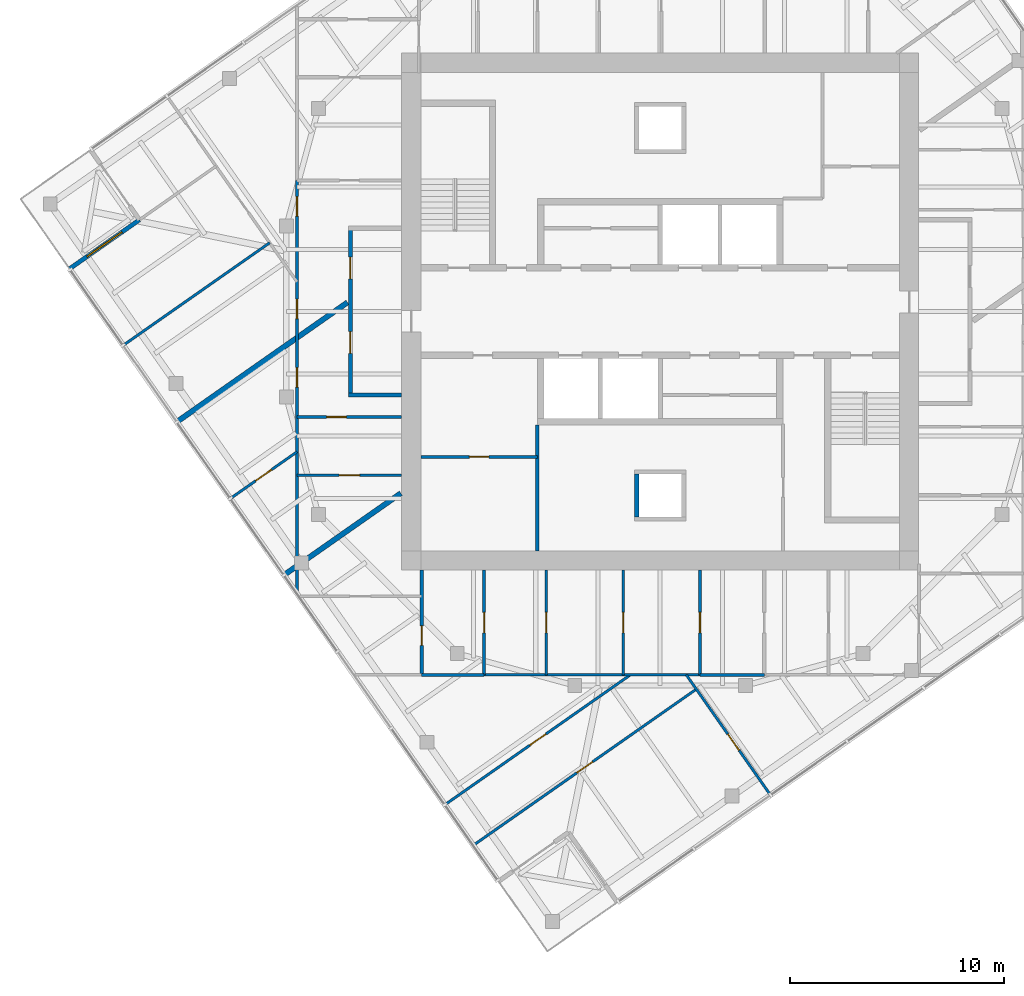
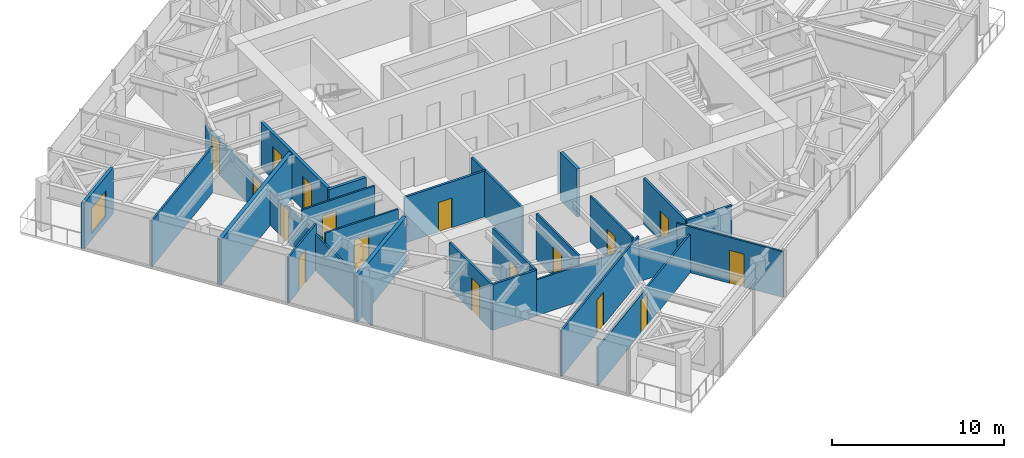
# One storey, part 7 of 12: 24 walls, 17 doors, 1 window, 18 openings.
"""IFC4 building model written with IfcOpenShell, lengths in metres."""

from ifc_helpers import new_model, si_unit, direction, frame, frame_2d, origin, place, context, subcontext, project, spatial, rectangle, extrude, material, layer, layer_set, type_object, element, fill, save


model = new_model("IFC4")

# Units and contexts
model_context = context("Model", 3, precision=1e-05, world=origin(), true_north=direction((0.0, 1.0)))
body_context = subcontext(model_context, "Body", "Model", "MODEL_VIEW")
ifc_project = project(units=[si_unit("LENGTHUNIT", "METRE"), si_unit("AREAUNIT", "SQUARE_METRE"), si_unit("VOLUMEUNIT", "CUBIC_METRE"), si_unit("PLANEANGLEUNIT", "RADIAN"), si_unit("MASSUNIT", "GRAM", prefix="KILO")], contexts=[model_context])

# Site, building, storey
site_placement = place(None, origin())
site = spatial("IfcSite", under=ifc_project, at=site_placement, CompositionType="ELEMENT")
building_placement = place(site_placement, origin())
building = spatial("IfcBuilding", under=site, at=building_placement, Name="Torsade Residences", CompositionType="ELEMENT")
storey_placement = place(building_placement, frame((0.0, 0.0, 240.39990234375)))
storey = spatial("IfcBuildingStorey", under=building, at=storey_placement, Name="L66", CompositionType="ELEMENT", Elevation=240.39990234375)

# Wall, openings, doors
ifc_material_1 = material(Name="Plasterboard on steel stud", Category="steel")
ifc_layer_1 = layer(ifc_material_1, 0.199951171875)
ifc_layer_set_1 = layer_set([ifc_layer_1], Name="Plasterboard on steel stud")
wall_type_1 = type_object("IfcWallType", Name="CORRIDOR WALL 200", PredefinedType="PARTITIONING", material=ifc_layer_set_1)
wall_1_placement = place(storey_placement, frame((25.5, 26.10009765625, 0.0), z_axis=(0.0, 0.0, 1.0), x_axis=(0.0, 1.0, 0.0)))
wall_1 = element("IfcWall", 1, at=wall_1_placement, inside=storey, type_object=wall_type_1, Name="Corridor wall L66", PredefinedType="PARTITIONING", context=body_context, shape_type="SweptSolid", body=[
    extrude(rectangle(XDim=7.7998046875, YDim=0.199951171875, at=frame_2d((3.89990234375, 0.0))), origin(), (0.0, 0.0, 1.0), 3.25),
])
opening_1_placement = place(wall_1_placement, frame((1.94189453125, 0.0, 0.0)))
opening_1 = element("IfcOpeningElement", 2, at=opening_1_placement, cuts=wall_1, Name="Opening D01", PredefinedType="OPENING", context=body_context, shape_type="SweptSolid", body=[
    extrude(rectangle(XDim=1.02001953125, YDim=2.340087890625, at=frame_2d((0.510009765625, 1.169921875))), frame((0.0, 0.10986328125, 0.0), z_axis=(0.0, -1.0, 0.0), x_axis=(1.0, 0.0, 0.0)), (0.0, 0.0, 1.0), 0.219970703125),
])
opening_2_placement = place(wall_1_placement, frame((5.436767578125, 0.0, 0.0)))
opening_2 = element("IfcOpeningElement", 3, at=opening_2_placement, cuts=wall_1, Name="Opening D01", PredefinedType="OPENING", context=body_context, shape_type="SweptSolid", body=[
    extrude(rectangle(XDim=1.02001953125, YDim=2.340087890625, at=frame_2d((0.510009765625, 1.169921875))), frame((0.0, 0.10986328125, 0.0), z_axis=(0.0, -1.0, 0.0), x_axis=(1.0, 0.0, 0.0)), (0.0, 0.0, 1.0), 0.219970703125),
])
ifc_material_2 = material(Name="Solid-core timber fire door", Category="wood")
door_type_1 = type_object("IfcDoorType", Name="APARTMENT ENTRY DOOR 1020x2340", OperationType="NOTDEFINED", PredefinedType="DOOR", material=ifc_material_2)
door_1_placement = place(opening_1_placement, origin())
door_1 = element("IfcDoor", 4, at=door_1_placement, inside=storey, type_object=door_type_1, Name="Door Residential corridor to Kitchen and dining", OperationType="SINGLE_SWING_RIGHT", OverallHeight=2.340087890625, OverallWidth=1.02001953125, PredefinedType="DOOR", context=body_context, shape_type="SweptSolid", body=[
    extrude(rectangle(XDim=1.02001953125, YDim=2.340087890625, at=frame_2d((0.510009765625, 1.169921875))), frame((0.0, 0.02490234375, 0.0), z_axis=(0.0, -1.0, 0.0), x_axis=(1.0, 0.0, 0.0)), (0.0, 0.0, 1.0), 0.050048828125),
])
fill(opening_1, door_1)
door_2_placement = place(opening_2_placement, origin())
door_2 = element("IfcDoor", 5, at=door_2_placement, inside=storey, type_object=door_type_1, Name="Door Residential corridor to Kitchen and dining", OperationType="SINGLE_SWING_LEFT", OverallHeight=2.340087890625, OverallWidth=1.02001953125, PredefinedType="DOOR", context=body_context, shape_type="SweptSolid", body=[
    extrude(rectangle(XDim=1.02001953125, YDim=2.340087890625, at=frame_2d((0.510009765625, 1.169921875))), frame((0.0, 0.02490234375, 0.0), z_axis=(0.0, -1.0, 0.0), x_axis=(1.0, 0.0, 0.0)), (0.0, 0.0, 1.0), 0.050048828125),
])
fill(opening_2, door_2)

# Wall
wall_2_placement = place(storey_placement, frame((27.89990234375, 26.10009765625, 0.0), z_axis=(0.0, 0.0, 1.0), x_axis=(-1.0, 0.0, 0.0)))
element("IfcWall", 6, at=wall_2_placement, inside=storey, type_object=wall_type_1, Name="Corridor wall L66", PredefinedType="PARTITIONING", context=body_context, shape_type="SweptSolid", body=[
    extrude(rectangle(XDim=2.5, YDim=0.199951171875, at=frame_2d((1.25, 0.0))), origin(), (0.0, 0.0, 1.0), 3.25),
])

# Wall, opening, door
ifc_material_3 = material(Name="Plasterboard on steel stud", Category="steel")
ifc_layer_2 = layer(ifc_material_3, 0.1201171875)
ifc_layer_set_2 = layer_set([ifc_layer_2], Name="Plasterboard on steel stud")
wall_type_2 = type_object("IfcWallType", Name="PARTITION 120", PredefinedType="PARTITIONING", material=ifc_layer_set_2)
wall_3_placement = place(storey_placement, frame((27.89990234375, 25.06787109375, 0.0), z_axis=(0.0, 0.0, 1.0), x_axis=(-1.0, 0.0, 0.0)))
wall_3 = element("IfcWall", 7, at=wall_3_placement, inside=storey, type_object=wall_type_2, Name="Partition L66", PredefinedType="PARTITIONING", context=body_context, shape_type="SweptSolid", body=[
    extrude(rectangle(XDim=4.89990234375, YDim=0.1201171875, at=frame_2d((2.449951171875, 0.0))), origin(), (0.0, 0.0, 1.0), 3.25),
])
opening_3_placement = place(wall_3_placement, frame((2.590087890625, 0.0, 0.0)))
opening_3 = element("IfcOpeningElement", 8, at=opening_3_placement, cuts=wall_3, Name="Opening D02", PredefinedType="OPENING", context=body_context, shape_type="SweptSolid", body=[
    extrude(rectangle(XDim=0.919921875, YDim=2.340087890625, at=frame_2d((0.4599609375, 1.169921875))), frame((0.0, 0.070068359375, 0.0), z_axis=(0.0, -1.0, 0.0), x_axis=(1.0, 0.0, 0.0)), (0.0, 0.0, 1.0), 0.14013671875),
])
ifc_material_4 = material(Name="Hollow-core timber door", Category="wood")
door_type_2 = type_object("IfcDoorType", Name="INTERNAL DOOR 920x2340", OperationType="NOTDEFINED", PredefinedType="DOOR", material=ifc_material_4)
door_3_placement = place(opening_3_placement, origin())
door_3 = element("IfcDoor", 9, at=door_3_placement, inside=storey, type_object=door_type_2, Name="Door Kitchen and dining to Dressing room", OperationType="SINGLE_SWING_RIGHT", OverallHeight=2.340087890625, OverallWidth=0.919921875, PredefinedType="DOOR", context=body_context, shape_type="SweptSolid", body=[
    extrude(rectangle(XDim=0.919921875, YDim=2.340087890625, at=frame_2d((0.4599609375, 1.169921875))), frame((0.0, 0.02490234375, 0.0), z_axis=(0.0, -1.0, 0.0), x_axis=(1.0, 0.0, 0.0)), (0.0, 0.0, 1.0), 0.050048828125),
])
fill(opening_3, door_3)

# Wall, openings, doors
wall_4_placement = place(storey_placement, frame((23.0, 16.8642578125, 0.0), z_axis=(0.0, 0.0, 1.0), x_axis=(0.0, 1.0, 0.0)))
wall_4 = element("IfcWall", 10, at=wall_4_placement, inside=storey, type_object=wall_type_2, Name="Partition L66", PredefinedType="PARTITIONING", context=body_context, shape_type="SweptSolid", body=[
    extrude(rectangle(XDim=19.2802734375, YDim=0.1201171875, at=frame_2d((9.64013671875, 0.0))), origin(), (0.0, 0.0, 1.0), 2.550048828125),
])
opening_4_placement = place(wall_4_placement, frame((9.598876953125, 0.0, 0.0)))
opening_4 = element("IfcOpeningElement", 11, at=opening_4_placement, cuts=wall_4, Name="Opening D02", PredefinedType="OPENING", context=body_context, shape_type="SweptSolid", body=[
    extrude(rectangle(XDim=0.919921875, YDim=2.340087890625, at=frame_2d((0.4599609375, 1.169921875))), frame((0.0, 0.070068359375, 0.0), z_axis=(0.0, -1.0, 0.0), x_axis=(1.0, 0.0, 0.0)), (0.0, 0.0, 1.0), 0.14013671875),
])
opening_5_placement = place(wall_4_placement, frame((17.6025390625, 0.0, 0.0)))
opening_5 = element("IfcOpeningElement", 12, at=opening_5_placement, cuts=wall_4, Name="Opening D02", PredefinedType="OPENING", context=body_context, shape_type="SweptSolid", body=[
    extrude(rectangle(XDim=0.919921875, YDim=2.340087890625, at=frame_2d((0.4599609375, 1.169921875))), frame((0.0, 0.070068359375, 0.0), z_axis=(0.0, -1.0, 0.0), x_axis=(1.0, 0.0, 0.0)), (0.0, 0.0, 1.0), 0.14013671875),
])
opening_6_placement = place(wall_4_placement, frame((12.806396484375, 0.0, 0.0)))
opening_6 = element("IfcOpeningElement", 13, at=opening_6_placement, cuts=wall_4, Name="Opening D02", PredefinedType="OPENING", context=body_context, shape_type="SweptSolid", body=[
    extrude(rectangle(XDim=0.919921875, YDim=2.340087890625, at=frame_2d((0.4599609375, 1.169921875))), frame((0.0, 0.070068359375, 0.0), z_axis=(0.0, -1.0, 0.0), x_axis=(1.0, 0.0, 0.0)), (0.0, 0.0, 1.0), 0.14013671875),
])
door_4_placement = place(opening_4_placement, origin())
door_4 = element("IfcDoor", 14, at=door_4_placement, inside=storey, type_object=door_type_2, Name="Door Kitchen and dining to Living room", OperationType="SINGLE_SWING_LEFT", OverallHeight=2.340087890625, OverallWidth=0.919921875, PredefinedType="DOOR", context=body_context, shape_type="SweptSolid", body=[
    extrude(rectangle(XDim=0.919921875, YDim=2.340087890625, at=frame_2d((0.4599609375, 1.169921875))), frame((0.0, 0.02490234375, 0.0), z_axis=(0.0, -1.0, 0.0), x_axis=(1.0, 0.0, 0.0)), (0.0, 0.0, 1.0), 0.050048828125),
])
fill(opening_4, door_4)
door_5_placement = place(opening_5_placement, origin())
door_5 = element("IfcDoor", 15, at=door_5_placement, inside=storey, type_object=door_type_2, Name="Door Kitchen and dining to Bedroom 1", OperationType="SINGLE_SWING_LEFT", OverallHeight=2.340087890625, OverallWidth=0.919921875, PredefinedType="DOOR", context=body_context, shape_type="SweptSolid", body=[
    extrude(rectangle(XDim=0.919921875, YDim=2.340087890625, at=frame_2d((0.4599609375, 1.169921875))), frame((0.0, 0.02490234375, 0.0), z_axis=(0.0, -1.0, 0.0), x_axis=(1.0, 0.0, 0.0)), (0.0, 0.0, 1.0), 0.050048828125),
])
fill(opening_5, door_5)
door_6_placement = place(opening_6_placement, origin())
door_6 = element("IfcDoor", 16, at=door_6_placement, inside=storey, type_object=door_type_2, Name="Door Kitchen and dining to Bedroom 3", OperationType="SINGLE_SWING_LEFT", OverallHeight=2.340087890625, OverallWidth=0.919921875, PredefinedType="DOOR", context=body_context, shape_type="SweptSolid", body=[
    extrude(rectangle(XDim=0.919921875, YDim=2.340087890625, at=frame_2d((0.4599609375, 1.169921875))), frame((0.0, 0.02490234375, 0.0), z_axis=(0.0, -1.0, 0.0), x_axis=(1.0, 0.0, 0.0)), (0.0, 0.0, 1.0), 0.050048828125),
])
fill(opening_6, door_6)

# Wall, opening, door
wall_5_placement = place(storey_placement, frame((23.0, 22.3466796875, 0.0), z_axis=(0.0, 0.0, 1.0), x_axis=(1.0, 0.0, 0.0)))
wall_5 = element("IfcWall", 17, at=wall_5_placement, inside=storey, type_object=wall_type_2, Name="Partition L66", PredefinedType="PARTITIONING", context=body_context, shape_type="SweptSolid", body=[
    extrude(rectangle(XDim=4.89990234375, YDim=0.1201171875, at=frame_2d((2.449951171875, 0.0))), origin(), (0.0, 0.0, 1.0), 3.25),
])
opening_7_placement = place(wall_5_placement, frame((1.969970703125, 0.0, 0.0)))
opening_7 = element("IfcOpeningElement", 18, at=opening_7_placement, cuts=wall_5, Name="Opening D05", PredefinedType="OPENING", context=body_context, shape_type="SweptSolid", body=[
    extrude(rectangle(XDim=0.9599609375, YDim=2.10009765625, at=frame_2d((0.47998046875, 1.050048828125))), frame((0.0, 0.070068359375, 0.0), z_axis=(0.0, -1.0, 0.0), x_axis=(1.0, 0.0, 0.0)), (0.0, 0.0, 1.0), 0.14013671875),
])
ifc_material_5 = material(Name="Hollow-core timber door in a steel cavity frame", Category="steel")
door_type_3 = type_object("IfcDoorType", Name="BATHROOM CAVITY SLIDING DOOR 960", OperationType="SLIDING_TO_LEFT", PredefinedType="DOOR", material=ifc_material_5)
door_7_placement = place(opening_7_placement, origin())
door_7 = element("IfcDoor", 19, at=door_7_placement, inside=storey, type_object=door_type_3, Name="Door Dressing room to Bathroom", OperationType="SLIDING_TO_LEFT", OverallHeight=2.10009765625, OverallWidth=0.9599609375, PredefinedType="DOOR", context=body_context, shape_type="SweptSolid", body=[
    extrude(rectangle(XDim=0.9599609375, YDim=2.10009765625, at=frame_2d((0.47998046875, 1.050048828125))), frame((0.0, 0.02490234375, 0.0), z_axis=(0.0, -1.0, 0.0), x_axis=(1.0, 0.0, 0.0)), (0.0, 0.0, 1.0), 0.050048828125),
])
fill(opening_7, door_7)

wall_6_placement = place(storey_placement, frame((23.0, 23.4375, 0.0), z_axis=(0.0, 0.0, 1.0), x_axis=(-0.819140645834, -0.573592714688, 0.0)))
wall_6 = element("IfcWall", 20, at=wall_6_placement, inside=storey, type_object=wall_type_2, Name="Partition L66", PredefinedType="PARTITIONING", context=body_context, shape_type="SweptSolid", body=[
    extrude(rectangle(XDim=3.770263671875, YDim=0.1201171875, at=frame_2d((1.88525390625, 0.0))), origin(), (0.0, 0.0, 1.0), 3.25),
])
opening_8_placement = place(wall_6_placement, frame((1.445068359375, 0.0, 0.0)))
opening_8 = element("IfcOpeningElement", 21, at=opening_8_placement, cuts=wall_6, Name="Opening D02", PredefinedType="OPENING", context=body_context, shape_type="SweptSolid", body=[
    extrude(rectangle(XDim=0.919921875, YDim=2.340087890625, at=frame_2d((0.4599609375, 1.169921875))), frame((0.0, 0.070068359375, 0.0), z_axis=(0.0, -1.0, 0.0), x_axis=(1.0, 0.0, 0.0)), (0.0, 0.0, 1.0), 0.14013671875),
])
door_8_placement = place(opening_8_placement, origin())
door_8 = element("IfcDoor", 22, at=door_8_placement, inside=storey, type_object=door_type_2, Name="Door Living room to Bedroom 1", OperationType="SINGLE_SWING_LEFT", OverallHeight=2.340087890625, OverallWidth=0.919921875, PredefinedType="DOOR", context=body_context, shape_type="SweptSolid", body=[
    extrude(rectangle(XDim=0.919921875, YDim=2.340087890625, at=frame_2d((0.4599609375, 1.169921875))), frame((0.0, 0.02490234375, 0.0), z_axis=(0.0, -1.0, 0.0), x_axis=(1.0, 0.0, 0.0)), (0.0, 0.0, 1.0), 0.050048828125),
])
fill(opening_8, door_8)

wall_7_placement = place(storey_placement, frame((34.671875, 17.89990234375, 0.0), z_axis=(0.0, 0.0, 1.0), x_axis=(0.0, -1.0, 0.0)))
wall_7 = element("IfcWall", 23, at=wall_7_placement, inside=storey, type_object=wall_type_2, Name="Partition L66", PredefinedType="PARTITIONING", context=body_context, shape_type="SweptSolid", body=[
    extrude(rectangle(XDim=4.89990234375, YDim=0.1201171875, at=frame_2d((2.449951171875, 0.0))), origin(), (0.0, 0.0, 1.0), 3.25),
])
opening_9_placement = place(wall_7_placement, frame((1.969970703125, 0.0, 0.0)))
opening_9 = element("IfcOpeningElement", 24, at=opening_9_placement, cuts=wall_7, Name="Opening D05", PredefinedType="OPENING", context=body_context, shape_type="SweptSolid", body=[
    extrude(rectangle(XDim=0.9599609375, YDim=2.10009765625, at=frame_2d((0.47998046875, 1.050048828125))), frame((0.0, 0.070068359375, 0.0), z_axis=(0.0, -1.0, 0.0), x_axis=(1.0, 0.0, 0.0)), (0.0, 0.0, 1.0), 0.14013671875),
])
door_9_placement = place(opening_9_placement, origin())
door_9 = element("IfcDoor", 25, at=door_9_placement, inside=storey, type_object=door_type_3, Name="Door Dressing room 2 to WC", OperationType="SLIDING_TO_LEFT", OverallHeight=2.10009765625, OverallWidth=0.9599609375, PredefinedType="DOOR", context=body_context, shape_type="SweptSolid", body=[
    extrude(rectangle(XDim=0.9599609375, YDim=2.10009765625, at=frame_2d((0.47998046875, 1.050048828125))), frame((0.0, 0.02490234375, 0.0), z_axis=(0.0, -1.0, 0.0), x_axis=(1.0, 0.0, 0.0)), (0.0, 0.0, 1.0), 0.050048828125),
])
fill(opening_9, door_9)

# Wall
wall_8_placement = place(storey_placement, frame((41.864501953125, 13.0, 0.0), z_axis=(0.0, 0.0, 1.0), x_axis=(-1.0, 0.0, 0.0)))
element("IfcWall", 26, at=wall_8_placement, inside=storey, type_object=wall_type_2, Name="Partition L66", PredefinedType="PARTITIONING", context=body_context, shape_type="SweptSolid", body=[
    extrude(rectangle(XDim=10.10986328125, YDim=0.1201171875, at=frame_2d((5.054931640625, 0.0))), origin(), (0.0, 0.0, 1.0), 2.550048828125),
])

# Wall, opening, door
wall_9_placement = place(storey_placement, frame((38.268310546875, 13.0, 0.0), z_axis=(0.0, 0.0, 1.0), x_axis=(0.0, 1.0, 0.0)))
wall_9 = element("IfcWall", 27, at=wall_9_placement, inside=storey, type_object=wall_type_2, Name="Partition L66", PredefinedType="PARTITIONING", context=body_context, shape_type="SweptSolid", body=[
    extrude(rectangle(XDim=4.89990234375, YDim=0.1201171875, at=frame_2d((2.449951171875, 0.0))), origin(), (0.0, 0.0, 1.0), 3.25),
])
opening_10_placement = place(wall_9_placement, frame((1.969970703125, 0.0, 0.0)))
opening_10 = element("IfcOpeningElement", 28, at=opening_10_placement, cuts=wall_9, Name="Opening D05", PredefinedType="OPENING", context=body_context, shape_type="SweptSolid", body=[
    extrude(rectangle(XDim=0.9599609375, YDim=2.10009765625, at=frame_2d((0.47998046875, 1.050048828125))), frame((0.0, 0.070068359375, 0.0), z_axis=(0.0, -1.0, 0.0), x_axis=(1.0, 0.0, 0.0)), (0.0, 0.0, 1.0), 0.14013671875),
])
door_10_placement = place(opening_10_placement, origin())
door_10 = element("IfcDoor", 29, at=door_10_placement, inside=storey, type_object=door_type_3, Name="Door Ensuite to Dressing room 2", OperationType="SLIDING_TO_LEFT", OverallHeight=2.10009765625, OverallWidth=0.9599609375, PredefinedType="DOOR", context=body_context, shape_type="SweptSolid", body=[
    extrude(rectangle(XDim=0.9599609375, YDim=2.10009765625, at=frame_2d((0.47998046875, 1.050048828125))), frame((0.0, 0.02490234375, 0.0), z_axis=(0.0, -1.0, 0.0), x_axis=(1.0, 0.0, 0.0)), (0.0, 0.0, 1.0), 0.050048828125),
])
fill(opening_10, door_10)

wall_10_placement = place(storey_placement, frame((31.279296875, 5.0400390625, 0.0), z_axis=(0.0, 0.0, 1.0), x_axis=(0.819155207289, 0.573571919092, 0.0)))
wall_10 = element("IfcWall", 30, at=wall_10_placement, inside=storey, type_object=wall_type_2, Name="Partition L66", PredefinedType="PARTITIONING", context=body_context, shape_type="SweptSolid", body=[
    extrude(rectangle(XDim=12.7099609375, YDim=0.1201171875, at=frame_2d((6.35498046875, 0.0))), origin(), (0.0, 0.0, 1.0), 2.717041015625),
])
opening_11_placement = place(wall_10_placement, frame((5.875, 0.0, 0.0)))
opening_11 = element("IfcOpeningElement", 31, at=opening_11_placement, cuts=wall_10, Name="Opening D02", PredefinedType="OPENING", context=body_context, shape_type="SweptSolid", body=[
    extrude(rectangle(XDim=0.919921875, YDim=2.340087890625, at=frame_2d((0.4599609375, 1.169921875))), frame((0.0, 0.070068359375, 0.0), z_axis=(0.0, -1.0, 0.0), x_axis=(1.0, 0.0, 0.0)), (0.0, 0.0, 1.0), 0.14013671875),
])
door_11_placement = place(opening_11_placement, origin())
door_11 = element("IfcDoor", 32, at=door_11_placement, inside=storey, type_object=door_type_2, Name="Door Living room to Family room", OperationType="SINGLE_SWING_RIGHT", OverallHeight=2.340087890625, OverallWidth=0.919921875, PredefinedType="DOOR", context=body_context, shape_type="SweptSolid", body=[
    extrude(rectangle(XDim=0.919921875, YDim=2.340087890625, at=frame_2d((0.4599609375, 1.169921875))), frame((0.0, 0.02490234375, 0.0), z_axis=(0.0, -1.0, 0.0), x_axis=(1.0, 0.0, 0.0)), (0.0, 0.0, 1.0), 0.050048828125),
])
fill(opening_11, door_11)

wall_11_placement = place(storey_placement, frame((41.2216796875, 13.0, 0.0), z_axis=(0.0, 0.0, 1.0), x_axis=(0.57357503053, -0.819153028653, 0.0)))
wall_11 = element("IfcWall", 33, at=wall_11_placement, inside=storey, type_object=wall_type_2, Name="Partition L66", PredefinedType="PARTITIONING", context=body_context, shape_type="SweptSolid", body=[
    extrude(rectangle(XDim=6.833740234375, YDim=0.1201171875, at=frame_2d((3.4169921875, 0.0))), origin(), (0.0, 0.0, 1.0), 3.25),
])
opening_12_placement = place(wall_11_placement, frame((3.3857421875, 0.0, 0.0)))
opening_12 = element("IfcOpeningElement", 34, at=opening_12_placement, cuts=wall_11, Name="Opening D02", PredefinedType="OPENING", context=body_context, shape_type="SweptSolid", body=[
    extrude(rectangle(XDim=0.919921875, YDim=2.340087890625, at=frame_2d((0.4599609375, 1.169921875))), frame((0.0, 0.070068359375, 0.0), z_axis=(0.0, -1.0, 0.0), x_axis=(1.0, 0.0, 0.0)), (0.0, 0.0, 1.0), 0.14013671875),
])
door_12_placement = place(opening_12_placement, origin())
door_12 = element("IfcDoor", 35, at=door_12_placement, inside=storey, type_object=door_type_2, Name="Door Study 2 to Living room", OperationType="SINGLE_SWING_LEFT", OverallHeight=2.340087890625, OverallWidth=0.919921875, PredefinedType="DOOR", context=body_context, shape_type="SweptSolid", body=[
    extrude(rectangle(XDim=0.919921875, YDim=2.340087890625, at=frame_2d((0.4599609375, 1.169921875))), frame((0.0, 0.02490234375, 0.0), z_axis=(0.0, -1.0, 0.0), x_axis=(1.0, 0.0, 0.0)), (0.0, 0.0, 1.0), 0.050048828125),
])
fill(opening_12, door_12)

wall_12_placement = place(storey_placement, frame((38.604248046875, 13.0, 0.0), z_axis=(0.0, 0.0, 1.0), x_axis=(-0.819123352089, -0.573617410878, 0.0)))
wall_12 = element("IfcWall", 36, at=wall_12_placement, inside=storey, type_object=wall_type_2, Name="Partition L66", PredefinedType="PARTITIONING", context=body_context, shape_type="SweptSolid", body=[
    extrude(rectangle(XDim=10.56591796875, YDim=0.1201171875, at=frame_2d((5.282958984375, 0.0))), origin(), (0.0, 0.0, 1.0), 3.25),
])
opening_13_placement = place(wall_12_placement, frame((4.830810546875, 0.0, 0.0)))
opening_13 = element("IfcOpeningElement", 37, at=opening_13_placement, cuts=wall_12, Name="Opening D02", PredefinedType="OPENING", context=body_context, shape_type="SweptSolid", body=[
    extrude(rectangle(XDim=0.919921875, YDim=2.340087890625, at=frame_2d((0.4599609375, 1.169921875))), frame((0.0, 0.070068359375, 0.0), z_axis=(0.0, -1.0, 0.0), x_axis=(1.0, 0.0, 0.0)), (0.0, 0.0, 1.0), 0.14013671875),
])
door_13_placement = place(opening_13_placement, origin())
door_13 = element("IfcDoor", 38, at=door_13_placement, inside=storey, type_object=door_type_2, Name="Door Family room to Bedroom 2", OperationType="SINGLE_SWING_RIGHT", OverallHeight=2.340087890625, OverallWidth=0.919921875, PredefinedType="DOOR", context=body_context, shape_type="SweptSolid", body=[
    extrude(rectangle(XDim=0.919921875, YDim=2.340087890625, at=frame_2d((0.4599609375, 1.169921875))), frame((0.0, 0.02490234375, 0.0), z_axis=(0.0, -1.0, 0.0), x_axis=(1.0, 0.0, 0.0)), (0.0, 0.0, 1.0), 0.050048828125),
])
fill(opening_13, door_13)

# Walls
wall_13_placement = place(storey_placement, frame((21.720458984375, 33.22314453125, 0.0), z_axis=(0.0, 0.0, 1.0), x_axis=(-0.819152099525, -0.573576357466, 0.0)))
element("IfcWall", 39, at=wall_13_placement, inside=storey, type_object=wall_type_2, Name="Partition L66", PredefinedType="PARTITIONING", context=body_context, shape_type="SweptSolid", body=[
    extrude(rectangle(XDim=8.3349609375, YDim=0.1201171875, at=frame_2d((4.16748046875, 0.0))), origin(), (0.0, 0.0, 1.0), 3.25),
])
ifc_material_6 = material(Name="Masonry-lined stud party wall", Category="masonry")
ifc_layer_3 = layer(ifc_material_6, 0.25)
ifc_layer_set_3 = layer_set([ifc_layer_3], Name="Masonry-lined stud party wall")
wall_type_3 = type_object("IfcWallType", Name="PARTY WALL 250", PredefinedType="PARTITIONING", material=ifc_layer_set_3)
wall_14_placement = place(storey_placement, frame((22.38818359375, 17.668212890625, 0.0), z_axis=(0.0, 0.0, 1.0), x_axis=(0.819161528122, 0.573562891796, 0.0)))
element("IfcWall", 40, at=wall_14_placement, inside=storey, type_object=wall_type_3, Name="Party wall L66", PredefinedType="PARTITIONING", context=body_context, shape_type="SweptSolid", body=[
    extrude(rectangle(XDim=6.68115234375, YDim=0.25, at=frame_2d((3.340576171875, 0.0))), origin(), (0.0, 0.0, 1.0), 3.25),
])
wall_15_placement = place(storey_placement, frame((17.369384765625, 24.835693359375, 0.0), z_axis=(0.0, 0.0, 1.0), x_axis=(0.81915902312, 0.573566469418, 0.0)))
element("IfcWall", 41, at=wall_15_placement, inside=storey, type_object=wall_type_3, Name="Party wall L66", PredefinedType="PARTITIONING", context=body_context, shape_type="SweptSolid", body=[
    extrude(rectangle(XDim=9.755859375, YDim=0.25, at=frame_2d((4.8779296875, 0.0))), origin(), (0.0, 0.0, 1.0), 3.25),
])
ifc_material_7 = material(Name="Reinforced blockwork", Category="masonry")
ifc_layer_4 = layer(ifc_material_7, 0.199951171875)
ifc_layer_set_4 = layer_set([ifc_layer_4], Name="Reinforced blockwork")
wall_type_4 = type_object("IfcWallType", Name="RISER SHAFT WALL 200", PredefinedType="SOLIDWALL", material=ifc_layer_set_4)
wall_16_placement = place(storey_placement, frame((38.89990234375, 22.39990234375, 0.0), z_axis=(0.0, 0.0, 1.0), x_axis=(0.0, -1.0, 0.0)))
element("IfcWall", 42, at=wall_16_placement, inside=storey, type_object=wall_type_4, Name="Core wall RS2a L66", PredefinedType="SOLIDWALL", context=body_context, shape_type="SweptSolid", body=[
    extrude(rectangle(XDim=2.0, YDim=0.199951171875, at=frame_2d((1.0, 0.0))), origin(), (0.0, 0.0, 1.0), 3.400146484375),
])
ifc_material_8 = material(Name="Reinforced blockwork", Category="masonry")
ifc_layer_5 = layer(ifc_material_8, 0.14990234375)
ifc_layer_set_5 = layer_set([ifc_layer_5], Name="Reinforced blockwork")
wall_type_5 = type_object("IfcWallType", Name="SERVICE ROOM WALL 150", PredefinedType="SOLIDWALL", material=ifc_layer_set_5)
wall_17_placement = place(storey_placement, frame((34.25, 18.800048828125, 0.0), z_axis=(0.0, 0.0, 1.0), x_axis=(0.0, 1.0, 0.0)))
element("IfcWall", 43, at=wall_17_placement, inside=storey, type_object=wall_type_5, Name="Service room wall L66", PredefinedType="SOLIDWALL", context=body_context, shape_type="SweptSolid", body=[
    extrude(rectangle(XDim=5.89990234375, YDim=0.14990234375, at=frame_2d((2.949951171875, 0.0))), origin(), (0.0, 0.0, 1.0), 3.25),
])

# Wall, opening, door
wall_18_placement = place(storey_placement, frame((34.25, 23.199951171875, 0.0), z_axis=(0.0, 0.0, 1.0), x_axis=(-1.0, 0.0, 0.0)))
wall_18 = element("IfcWall", 44, at=wall_18_placement, inside=storey, type_object=wall_type_5, Name="Service room wall L66", PredefinedType="SOLIDWALL", context=body_context, shape_type="SweptSolid", body=[
    extrude(rectangle(XDim=5.449951171875, YDim=0.14990234375, at=frame_2d((2.72509765625, 0.0))), origin(), (0.0, 0.0, 1.0), 3.25),
])
opening_14_placement = place(wall_18_placement, frame((2.264892578125, 0.0, 0.0)))
opening_14 = element("IfcOpeningElement", 45, at=opening_14_placement, cuts=wall_18, Name="Opening D06", PredefinedType="OPENING", context=body_context, shape_type="SweptSolid", body=[
    extrude(rectangle(XDim=0.919921875, YDim=2.10009765625, at=frame_2d((0.4599609375, 1.050048828125))), frame((0.0, 0.0849609375, 0.0), z_axis=(0.0, -1.0, 0.0), x_axis=(1.0, 0.0, 0.0)), (0.0, 0.0, 1.0), 0.169921875),
])
ifc_material_9 = material(Name="Steel-framed fire door", Category="steel")
door_type_4 = type_object("IfcDoorType", Name="FIRE DOOR 920", OperationType="NOTDEFINED", PredefinedType="DOOR", material=ifc_material_9)
door_14_placement = place(opening_14_placement, origin())
door_14 = element("IfcDoor", 46, at=door_14_placement, inside=storey, type_object=door_type_4, Name="Door Cleaner store to Hose reel and hydrant store", OperationType="SINGLE_SWING_LEFT", OverallHeight=2.10009765625, OverallWidth=0.919921875, PredefinedType="DOOR", context=body_context, shape_type="SweptSolid", body=[
    extrude(rectangle(XDim=0.919921875, YDim=2.10009765625, at=frame_2d((0.4599609375, 1.050048828125))), frame((0.0, 0.02490234375, 0.0), z_axis=(0.0, -1.0, 0.0), x_axis=(1.0, 0.0, 0.0)), (0.0, 0.0, 1.0), 0.050048828125),
])
fill(opening_14, door_14)

wall_19_placement = place(storey_placement, frame((28.83740234375, 17.89990234375, 0.0), z_axis=(0.0, 0.0, 1.0), x_axis=(0.0, -1.0, 0.0)))
wall_19 = element("IfcWall", 47, at=wall_19_placement, inside=storey, type_object=wall_type_5, Name="Service room wall L66", PredefinedType="SOLIDWALL", context=body_context, shape_type="SweptSolid", body=[
    extrude(rectangle(XDim=4.89990234375, YDim=0.14990234375, at=frame_2d((2.449951171875, 0.0))), origin(), (0.0, 0.0, 1.0), 3.25),
])
opening_15_placement = place(wall_19_placement, frame((2.603271484375, 0.0, 0.0)))
opening_15 = element("IfcOpeningElement", 48, at=opening_15_placement, cuts=wall_19, Name="Opening D02", PredefinedType="OPENING", context=body_context, shape_type="SweptSolid", body=[
    extrude(rectangle(XDim=0.919921875, YDim=2.340087890625, at=frame_2d((0.4599609375, 1.169921875))), frame((0.0, 0.0849609375, 0.0), z_axis=(0.0, -1.0, 0.0), x_axis=(1.0, 0.0, 0.0)), (0.0, 0.0, 1.0), 0.169921875),
])
door_15_placement = place(opening_15_placement, origin())
door_15 = element("IfcDoor", 49, at=door_15_placement, inside=storey, type_object=door_type_2, Name="Door Linen store to Dressing room", OperationType="SINGLE_SWING_RIGHT", OverallHeight=2.340087890625, OverallWidth=0.919921875, PredefinedType="DOOR", context=body_context, shape_type="SweptSolid", body=[
    extrude(rectangle(XDim=0.919921875, YDim=2.340087890625, at=frame_2d((0.4599609375, 1.169921875))), frame((0.0, 0.02490234375, 0.0), z_axis=(0.0, -1.0, 0.0), x_axis=(1.0, 0.0, 0.0)), (0.0, 0.0, 1.0), 0.050048828125),
])
fill(opening_15, door_15)

wall_20_placement = place(storey_placement, frame((31.754638671875, 13.0, 0.0), z_axis=(0.0, 0.0, 1.0), x_axis=(0.0, 1.0, 0.0)))
wall_20 = element("IfcWall", 50, at=wall_20_placement, inside=storey, type_object=wall_type_5, Name="Service room wall L66", PredefinedType="SOLIDWALL", context=body_context, shape_type="SweptSolid", body=[
    extrude(rectangle(XDim=4.89990234375, YDim=0.14990234375, at=frame_2d((2.449951171875, 0.0))), origin(), (0.0, 0.0, 1.0), 3.25),
])
opening_16_placement = place(wall_20_placement, frame((1.969970703125, 0.0, 0.0)))
opening_16 = element("IfcOpeningElement", 51, at=opening_16_placement, cuts=wall_20, Name="Opening D05", PredefinedType="OPENING", context=body_context, shape_type="SweptSolid", body=[
    extrude(rectangle(XDim=0.9599609375, YDim=2.10009765625, at=frame_2d((0.47998046875, 1.050048828125))), frame((0.0, 0.0849609375, 0.0), z_axis=(0.0, -1.0, 0.0), x_axis=(1.0, 0.0, 0.0)), (0.0, 0.0, 1.0), 0.169921875),
])
door_16_placement = place(opening_16_placement, origin())
door_16 = element("IfcDoor", 52, at=door_16_placement, inside=storey, type_object=door_type_3, Name="Door WC to Linen store", OperationType="SLIDING_TO_LEFT", OverallHeight=2.10009765625, OverallWidth=0.9599609375, PredefinedType="DOOR", context=body_context, shape_type="SweptSolid", body=[
    extrude(rectangle(XDim=0.9599609375, YDim=2.10009765625, at=frame_2d((0.47998046875, 1.050048828125))), frame((0.0, 0.02490234375, 0.0), z_axis=(0.0, -1.0, 0.0), x_axis=(1.0, 0.0, 0.0)), (0.0, 0.0, 1.0), 0.050048828125),
])
fill(opening_16, door_16)

# Wall
wall_21_placement = place(storey_placement, frame((31.754638671875, 13.0, 0.0), z_axis=(0.0, 0.0, 1.0), x_axis=(-1.0, 0.0, 0.0)))
element("IfcWall", 53, at=wall_21_placement, inside=storey, type_object=wall_type_5, Name="Service room wall L66", PredefinedType="SOLIDWALL", context=body_context, shape_type="SweptSolid", body=[
    extrude(rectangle(XDim=2.917236328125, YDim=0.14990234375, at=frame_2d((1.45849609375, 0.0))), origin(), (0.0, 0.0, 1.0), 3.25),
])

# Wall, opening, door
wall_22_placement = place(storey_placement, frame((41.864501953125, 17.89990234375, 0.0), z_axis=(0.0, 0.0, 1.0), x_axis=(0.0, -1.0, 0.0)))
wall_22 = element("IfcWall", 54, at=wall_22_placement, inside=storey, type_object=wall_type_5, Name="Service room wall L66", PredefinedType="SOLIDWALL", context=body_context, shape_type="SweptSolid", body=[
    extrude(rectangle(XDim=4.89990234375, YDim=0.14990234375, at=frame_2d((2.449951171875, 0.0))), origin(), (0.0, 0.0, 1.0), 3.25),
])
opening_17_placement = place(wall_22_placement, frame((1.969970703125, 0.0, 0.0)))
opening_17 = element("IfcOpeningElement", 55, at=opening_17_placement, cuts=wall_22, Name="Opening D05", PredefinedType="OPENING", context=body_context, shape_type="SweptSolid", body=[
    extrude(rectangle(XDim=0.9599609375, YDim=2.10009765625, at=frame_2d((0.47998046875, 1.050048828125))), frame((0.0, 0.0849609375, 0.0), z_axis=(0.0, -1.0, 0.0), x_axis=(1.0, 0.0, 0.0)), (0.0, 0.0, 1.0), 0.169921875),
])
door_17_placement = place(opening_17_placement, origin())
door_17 = element("IfcDoor", 56, at=door_17_placement, inside=storey, type_object=door_type_3, Name="Door Linen store 2 to Ensuite", OperationType="SLIDING_TO_LEFT", OverallHeight=2.10009765625, OverallWidth=0.9599609375, PredefinedType="DOOR", context=body_context, shape_type="SweptSolid", body=[
    extrude(rectangle(XDim=0.9599609375, YDim=2.10009765625, at=frame_2d((0.47998046875, 1.050048828125))), frame((0.0, 0.02490234375, 0.0), z_axis=(0.0, -1.0, 0.0), x_axis=(1.0, 0.0, 0.0)), (0.0, 0.0, 1.0), 0.050048828125),
])
fill(opening_17, door_17)

# Wall
wall_23_placement = place(storey_placement, frame((44.871337890625, 13.0, 0.0), z_axis=(0.0, 0.0, 1.0), x_axis=(-1.0, 0.0, 0.0)))
element("IfcWall", 57, at=wall_23_placement, inside=storey, type_object=wall_type_5, Name="Service room wall L66", PredefinedType="SOLIDWALL", context=body_context, shape_type="SweptSolid", body=[
    extrude(rectangle(XDim=3.0068359375, YDim=0.14990234375, at=frame_2d((1.50341796875, 0.0))), origin(), (0.0, 0.0, 1.0), 3.25),
])

# Wall, opening, window
ifc_material_10 = material(Name="Stone-faced precast concrete 40 MPa panel", Category="masonry")
ifc_layer_6 = layer(ifc_material_10, 0.199951171875)
ifc_layer_set_6 = layer_set([ifc_layer_6], Name="Stone-faced precast concrete 40 MPa panel")
wall_type_6 = type_object("IfcWallType", Name="TERRACE WALL 200", PredefinedType="SOLIDWALL", material=ifc_layer_set_6)
wall_24_placement = place(storey_placement, frame((15.627197265625, 34.297607421875, 0.0), z_axis=(0.0, 0.0, 1.0), x_axis=(-0.819137286189, -0.573597512525, 0.0)))
wall_24 = element("IfcWall", 58, at=wall_24_placement, inside=storey, type_object=wall_type_6, Name="Terrace wall L66 9", PredefinedType="SOLIDWALL", context=body_context, shape_type="SweptSolid", body=[
    extrude(rectangle(XDim=4.0, YDim=0.199951171875, at=frame_2d((2.0, 0.0))), origin(), (0.0, 0.0, 1.0), 3.25),
])
opening_18_placement = place(wall_24_placement, frame((1.0, 0.0, 0.449951171875)))
opening_18 = element("IfcOpeningElement", 59, at=opening_18_placement, cuts=wall_24, Name="Opening W1B", PredefinedType="OPENING", context=body_context, shape_type="SweptSolid", body=[
    extrude(rectangle(XDim=2.0, YDim=1.800048828125, at=frame_2d((1.0, 0.89990234375))), frame((0.0, 0.10986328125, 0.0), z_axis=(0.0, -1.0, 0.0), x_axis=(1.0, 0.0, 0.0)), (0.0, 0.0, 1.0), 0.219970703125),
])
ifc_material_11 = material(Name="Aluminium-framed glass window", Category="aluminium")
window_type = type_object("IfcWindowType", Name="TERRACE WINDOW 2000x1800", PartitioningType="SINGLE_PANEL", PredefinedType="WINDOW", material=ifc_material_11)
window_placement = place(opening_18_placement, origin())
window = element("IfcWindow", 60, at=window_placement, inside=storey, type_object=window_type, Name="Terrace window L66 9", OverallHeight=1.800048828125, OverallWidth=2.0, PartitioningType="SINGLE_PANEL", PredefinedType="WINDOW", context=body_context, shape_type="SweptSolid", body=[
    extrude(rectangle(XDim=2.0, YDim=1.800048828125, at=frame_2d((1.0, 0.89990234375))), frame((0.0, 0.030029296875, 0.0), z_axis=(0.0, -1.0, 0.0), x_axis=(1.0, 0.0, 0.0)), (0.0, 0.0, 1.0), 0.06005859375),
])
fill(opening_18, window)

save(model, "model.ifc")
